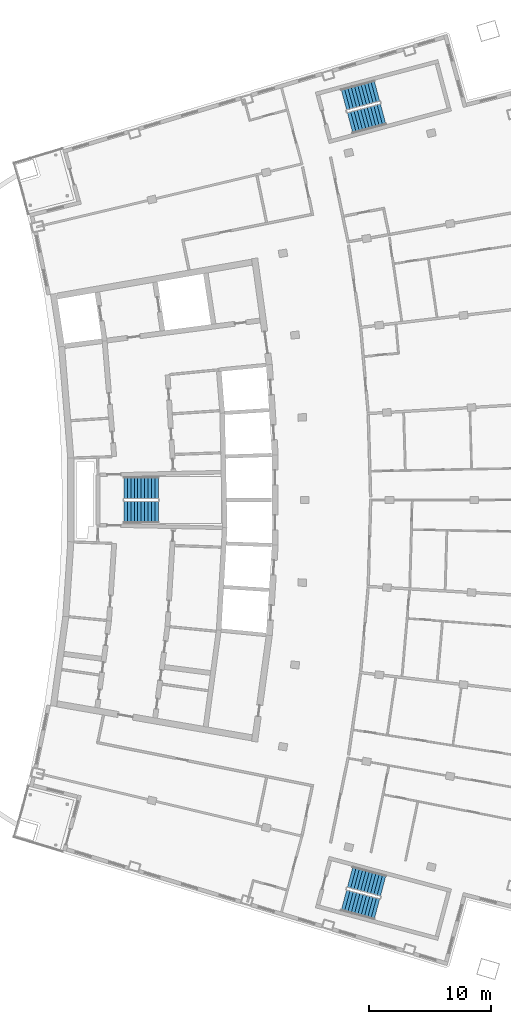
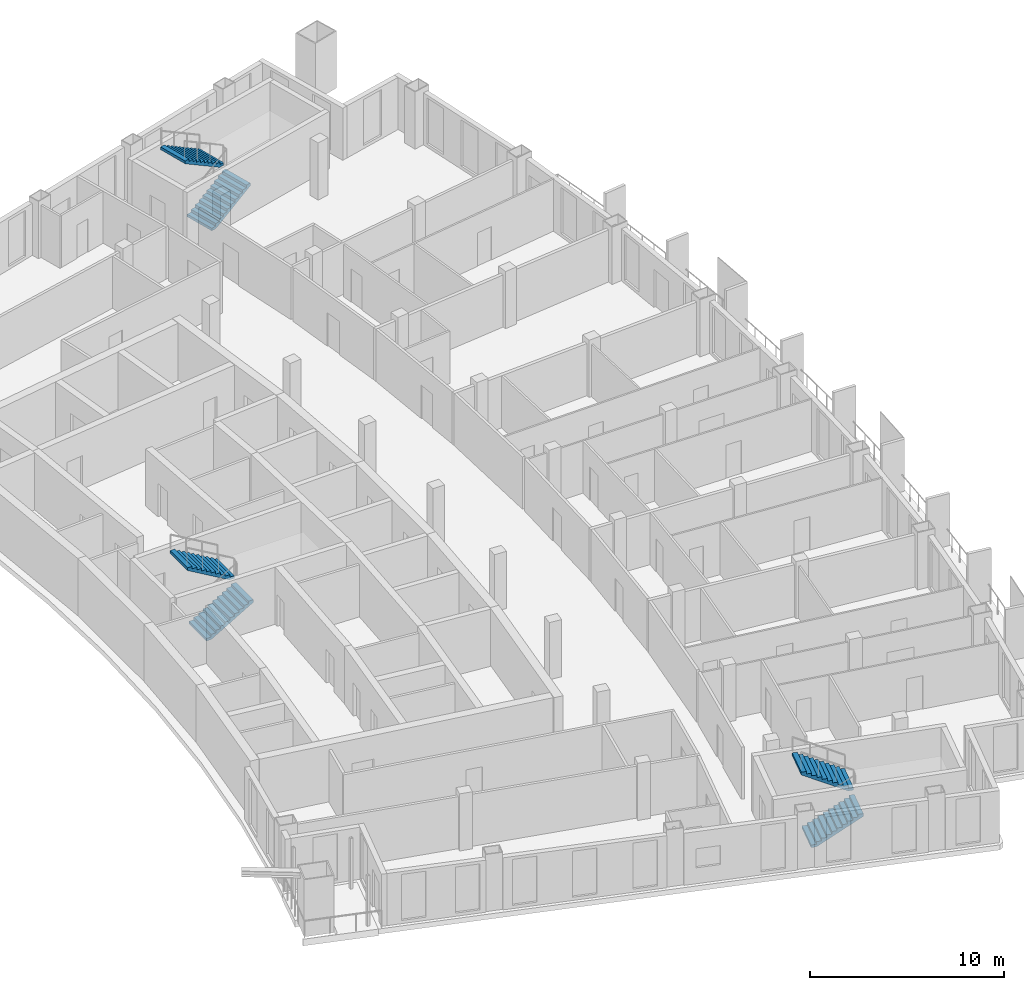
# One storey, part 14 of 17: 6 stair flights, 3 elements without a shape of their own.
"""IFC4 building model written with IfcOpenShell, lengths in metres."""

from ifc_helpers import new_model, si_unit, direction, frame, origin, place, context, subcontext, project, spatial, polyline, outline, extrude, material, layer, layer_set, type_object, element, aggregate, save


model = new_model("IFC4")

# Units and contexts
model_context = context("Model", 3, precision=1e-05, world=origin(), true_north=direction((0.0, 1.0)))
body_context = subcontext(model_context, "Body", "Model", "MODEL_VIEW")
ifc_project = project(units=[si_unit("LENGTHUNIT", "METRE"), si_unit("AREAUNIT", "SQUARE_METRE"), si_unit("VOLUMEUNIT", "CUBIC_METRE"), si_unit("PLANEANGLEUNIT", "RADIAN"), si_unit("MASSUNIT", "GRAM", prefix="KILO")], contexts=[model_context])

# Site, building, storey
site_placement = place(None, origin())
site = spatial("IfcSite", under=ifc_project, at=site_placement, CompositionType="ELEMENT")
building_placement = place(site_placement, origin())
building = spatial("IfcBuilding", under=site, at=building_placement, Name="Alderwake Tower", CompositionType="ELEMENT")
storey_placement = place(building_placement, frame((0.0, 0.0, 260.0)))
storey = spatial("IfcBuildingStorey", under=building, at=storey_placement, Name="L64", CompositionType="ELEMENT", Elevation=260.0)

# Stair, stair flights
ifc_material_1 = material(Name="Concrete C40/50", Category="concrete")
stair_type = type_object("IfcStairType", Name="Core exit stair", PredefinedType="HALF_TURN_STAIR", material=ifc_material_1)
stair_1_placement = place(storey_placement, origin())
stair_1 = element("IfcStair", 1, at=stair_1_placement, inside=storey, type_object=stair_type, Name="L64 Exit Stair B", PredefinedType="HALF_TURN_STAIR")
ifc_material_2 = material(Name="Concrete C40/50", Category="concrete")
ifc_layer = layer(ifc_material_2, 0.14990234375)
ifc_layer_set = layer_set([ifc_layer], Name="Core stair flight")
stair_flight_type = type_object("IfcStairFlightType", Name="Core stair flight", PredefinedType="STRAIGHT", material=ifc_layer_set)
stair_flight_1_placement = place(storey_placement, frame((21.0400390625, 60.02490234375, 0.0), z_axis=(0.0, 0.0, 1.0), x_axis=(1.0, 0.0, 0.0)))
stair_flight_1 = element("IfcStairFlight", 2, at=stair_flight_1_placement, type_object=stair_flight_type, Name="ST-B flight 1", NumberOfRisers=11, NumberOfTreads=10, PredefinedType="STRAIGHT", RiserHeight=0.163636364, TreadLength=0.28, context=body_context, shape_type="SweptSolid", body=[
    extrude(outline(polyline([(0.0, 0.0), (0.0, 0.16357421875), (0.280029296875, 0.16357421875), (0.280029296875, 0.327392578125), (0.56005859375, 0.327392578125), (0.56005859375, 0.490966796875), (0.840087890625, 0.490966796875), (0.840087890625, 0.654541015625), (1.1201171875, 0.654541015625), (1.1201171875, 0.818115234375), (1.39990234375, 0.818115234375), (1.39990234375, 0.98193359375), (1.679931640625, 0.98193359375), (1.679931640625, 1.1455078125), (1.9599609375, 1.1455078125), (1.9599609375, 1.30908203125), (2.239990234375, 1.30908203125), (2.239990234375, 1.47265625), (2.52001953125, 1.47265625), (2.52001953125, 1.636474609375), (2.800048828125, 1.636474609375), (2.800048828125, 1.800048828125), (2.800048828125, 1.462646484375), (0.297119140625, 0.0), (0.0, 0.0)])), frame((0.0, 0.89990234375, 0.0), z_axis=(0.0, -1.0, 0.0), x_axis=(1.0, 0.0, 0.0)), (0.0, 0.0, 1.0), 1.800048828125),
])
stair_flight_2_placement = place(storey_placement, frame((23.840087890625, 61.97509765625, 1.800048828125), z_axis=(0.0, 0.0, 1.0), x_axis=(-1.0, 0.0, 0.0)))
stair_flight_2 = element("IfcStairFlight", 3, at=stair_flight_2_placement, type_object=stair_flight_type, Name="ST-B flight 2", NumberOfRisers=11, NumberOfTreads=10, PredefinedType="STRAIGHT", RiserHeight=0.163636364, TreadLength=0.28, context=body_context, shape_type="SweptSolid", body=[
    extrude(outline(polyline([(0.0, 0.0), (0.0, 0.16357421875), (0.280029296875, 0.16357421875), (0.280029296875, 0.327392578125), (0.56005859375, 0.327392578125), (0.56005859375, 0.490966796875), (0.840087890625, 0.490966796875), (0.840087890625, 0.654541015625), (1.1201171875, 0.654541015625), (1.1201171875, 0.818115234375), (1.39990234375, 0.818115234375), (1.39990234375, 0.98193359375), (1.679931640625, 0.98193359375), (1.679931640625, 1.1455078125), (1.9599609375, 1.1455078125), (1.9599609375, 1.30908203125), (2.239990234375, 1.30908203125), (2.239990234375, 1.47265625), (2.52001953125, 1.47265625), (2.52001953125, 1.636474609375), (2.800048828125, 1.636474609375), (2.800048828125, 1.800048828125), (2.800048828125, 1.462646484375), (0.297119140625, 0.0), (0.0, 0.0)])), frame((0.0, 0.89990234375, 0.0), z_axis=(0.0, -1.0, 0.0), x_axis=(1.0, 0.0, 0.0)), (0.0, 0.0, 1.0), 1.800048828125),
])
aggregate(stair_1, [stair_flight_1, stair_flight_2])

stair_2_placement = place(storey_placement, origin())
stair_2 = element("IfcStair", 4, at=stair_2_placement, inside=storey, type_object=stair_type, Name="L64 Exit Stair A", PredefinedType="HALF_TURN_STAIR")
stair_flight_3_placement = place(storey_placement, frame((39.512939453125, 91.823974609375, 0.0), z_axis=(0.0, 0.0, 1.0), x_axis=(0.966309627437, 0.257382407951, 0.0)))
stair_flight_3 = element("IfcStairFlight", 5, at=stair_flight_3_placement, type_object=stair_flight_type, Name="ST-A flight 1", NumberOfRisers=11, NumberOfTreads=10, PredefinedType="STRAIGHT", RiserHeight=0.163636364, TreadLength=0.28, context=body_context, shape_type="SweptSolid", body=[
    extrude(outline(polyline([(0.0, 0.0), (0.0, 0.16357421875), (0.280029296875, 0.16357421875), (0.280029296875, 0.327392578125), (0.56005859375, 0.327392578125), (0.56005859375, 0.490966796875), (0.840087890625, 0.490966796875), (0.840087890625, 0.654541015625), (1.1201171875, 0.654541015625), (1.1201171875, 0.818115234375), (1.39990234375, 0.818115234375), (1.39990234375, 0.98193359375), (1.679931640625, 0.98193359375), (1.679931640625, 1.1455078125), (1.9599609375, 1.1455078125), (1.9599609375, 1.30908203125), (2.239990234375, 1.30908203125), (2.239990234375, 1.47265625), (2.52001953125, 1.47265625), (2.52001953125, 1.636474609375), (2.800048828125, 1.636474609375), (2.800048828125, 1.800048828125), (2.800048828125, 1.462646484375), (0.297119140625, 0.0), (0.0, 0.0)])), frame((0.0, 0.89990234375, 0.0), z_axis=(0.0, -1.0, 0.0), x_axis=(1.0, 0.0, 0.0)), (0.0, 0.0, 1.0), 1.800048828125),
])
stair_flight_4_placement = place(storey_placement, frame((41.716796875, 94.428955078125, 1.800048828125), z_axis=(0.0, 0.0, 1.0), x_axis=(-0.966309627437, -0.257382407951, 0.0)))
stair_flight_4 = element("IfcStairFlight", 6, at=stair_flight_4_placement, type_object=stair_flight_type, Name="ST-A flight 2", NumberOfRisers=11, NumberOfTreads=10, PredefinedType="STRAIGHT", RiserHeight=0.163636364, TreadLength=0.28, context=body_context, shape_type="SweptSolid", body=[
    extrude(outline(polyline([(0.0, 0.0), (0.0, 0.16357421875), (0.280029296875, 0.16357421875), (0.280029296875, 0.327392578125), (0.56005859375, 0.327392578125), (0.56005859375, 0.490966796875), (0.840087890625, 0.490966796875), (0.840087890625, 0.654541015625), (1.1201171875, 0.654541015625), (1.1201171875, 0.818115234375), (1.39990234375, 0.818115234375), (1.39990234375, 0.98193359375), (1.679931640625, 0.98193359375), (1.679931640625, 1.1455078125), (1.9599609375, 1.1455078125), (1.9599609375, 1.30908203125), (2.239990234375, 1.30908203125), (2.239990234375, 1.47265625), (2.52001953125, 1.47265625), (2.52001953125, 1.636474609375), (2.800048828125, 1.636474609375), (2.800048828125, 1.800048828125), (2.800048828125, 1.462646484375), (0.297119140625, 0.0), (0.0, 0.0)])), frame((0.0, 0.89990234375, 0.0), z_axis=(0.0, -1.0, 0.0), x_axis=(1.0, 0.0, 0.0)), (0.0, 0.0, 1.0), 1.800048828125),
])
aggregate(stair_2, [stair_flight_3, stair_flight_4])

stair_3_placement = place(storey_placement, origin())
stair_3 = element("IfcStair", 7, at=stair_3_placement, inside=storey, type_object=stair_type, Name="L64 Exit Stair C", PredefinedType="HALF_TURN_STAIR")
stair_flight_5_placement = place(storey_placement, frame((39.010986328125, 28.291748046875, 0.0), z_axis=(0.0, 0.0, 1.0), x_axis=(0.966309627437, -0.257382407951, 0.0)))
stair_flight_5 = element("IfcStairFlight", 8, at=stair_flight_5_placement, type_object=stair_flight_type, Name="ST-C flight 1", NumberOfRisers=11, NumberOfTreads=10, PredefinedType="STRAIGHT", RiserHeight=0.163636364, TreadLength=0.28, context=body_context, shape_type="SweptSolid", body=[
    extrude(outline(polyline([(0.0, 0.0), (0.0, 0.16357421875), (0.280029296875, 0.16357421875), (0.280029296875, 0.327392578125), (0.56005859375, 0.327392578125), (0.56005859375, 0.490966796875), (0.840087890625, 0.490966796875), (0.840087890625, 0.654541015625), (1.1201171875, 0.654541015625), (1.1201171875, 0.818115234375), (1.39990234375, 0.818115234375), (1.39990234375, 0.98193359375), (1.679931640625, 0.98193359375), (1.679931640625, 1.1455078125), (1.9599609375, 1.1455078125), (1.9599609375, 1.30908203125), (2.239990234375, 1.30908203125), (2.239990234375, 1.47265625), (2.52001953125, 1.47265625), (2.52001953125, 1.636474609375), (2.800048828125, 1.636474609375), (2.800048828125, 1.800048828125), (2.800048828125, 1.462646484375), (0.297119140625, 0.0), (0.0, 0.0)])), frame((0.0, 0.89990234375, 0.0), z_axis=(0.0, -1.0, 0.0), x_axis=(1.0, 0.0, 0.0)), (0.0, 0.0, 1.0), 1.800048828125),
])
stair_flight_6_placement = place(storey_placement, frame((42.218505859375, 29.455322265625, 1.800048828125), z_axis=(0.0, 0.0, 1.0), x_axis=(-0.966309627437, 0.257382407951, 0.0)))
stair_flight_6 = element("IfcStairFlight", 9, at=stair_flight_6_placement, type_object=stair_flight_type, Name="ST-C flight 2", NumberOfRisers=11, NumberOfTreads=10, PredefinedType="STRAIGHT", RiserHeight=0.163636364, TreadLength=0.28, context=body_context, shape_type="SweptSolid", body=[
    extrude(outline(polyline([(0.0, 0.0), (0.0, 0.16357421875), (0.280029296875, 0.16357421875), (0.280029296875, 0.327392578125), (0.56005859375, 0.327392578125), (0.56005859375, 0.490966796875), (0.840087890625, 0.490966796875), (0.840087890625, 0.654541015625), (1.1201171875, 0.654541015625), (1.1201171875, 0.818115234375), (1.39990234375, 0.818115234375), (1.39990234375, 0.98193359375), (1.679931640625, 0.98193359375), (1.679931640625, 1.1455078125), (1.9599609375, 1.1455078125), (1.9599609375, 1.30908203125), (2.239990234375, 1.30908203125), (2.239990234375, 1.47265625), (2.52001953125, 1.47265625), (2.52001953125, 1.636474609375), (2.800048828125, 1.636474609375), (2.800048828125, 1.800048828125), (2.800048828125, 1.462646484375), (0.297119140625, 0.0), (0.0, 0.0)])), frame((0.0, 0.89990234375, 0.0), z_axis=(0.0, -1.0, 0.0), x_axis=(1.0, 0.0, 0.0)), (0.0, 0.0, 1.0), 1.800048828125),
])
aggregate(stair_3, [stair_flight_5, stair_flight_6])

save(model, "model.ifc")
